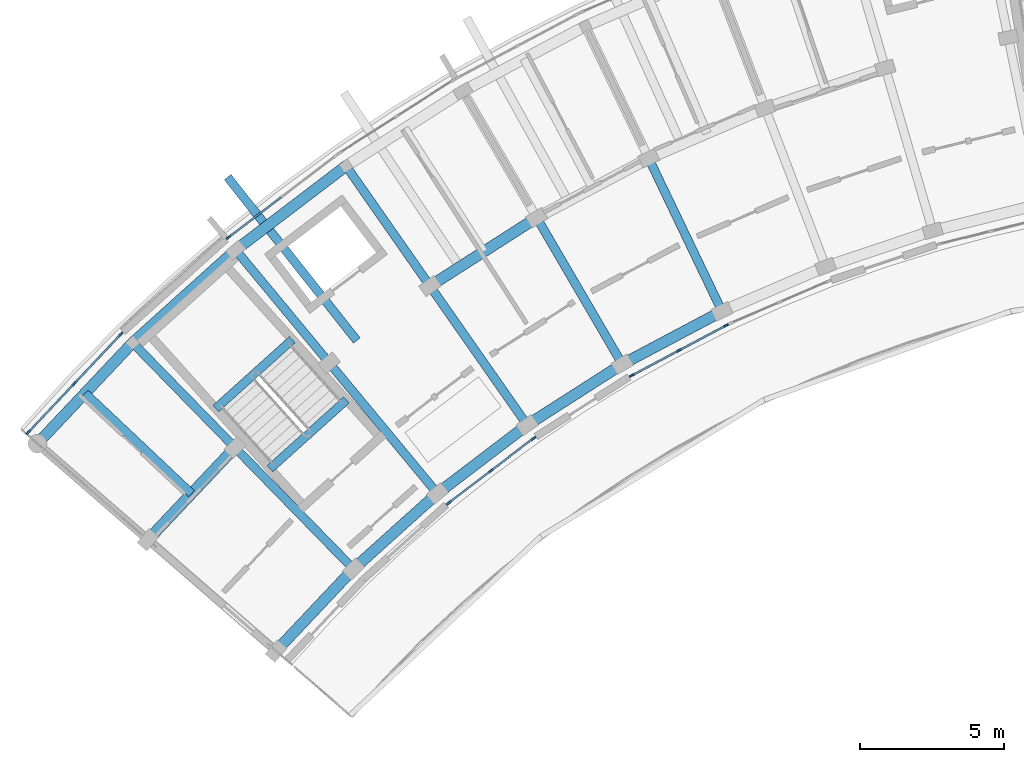
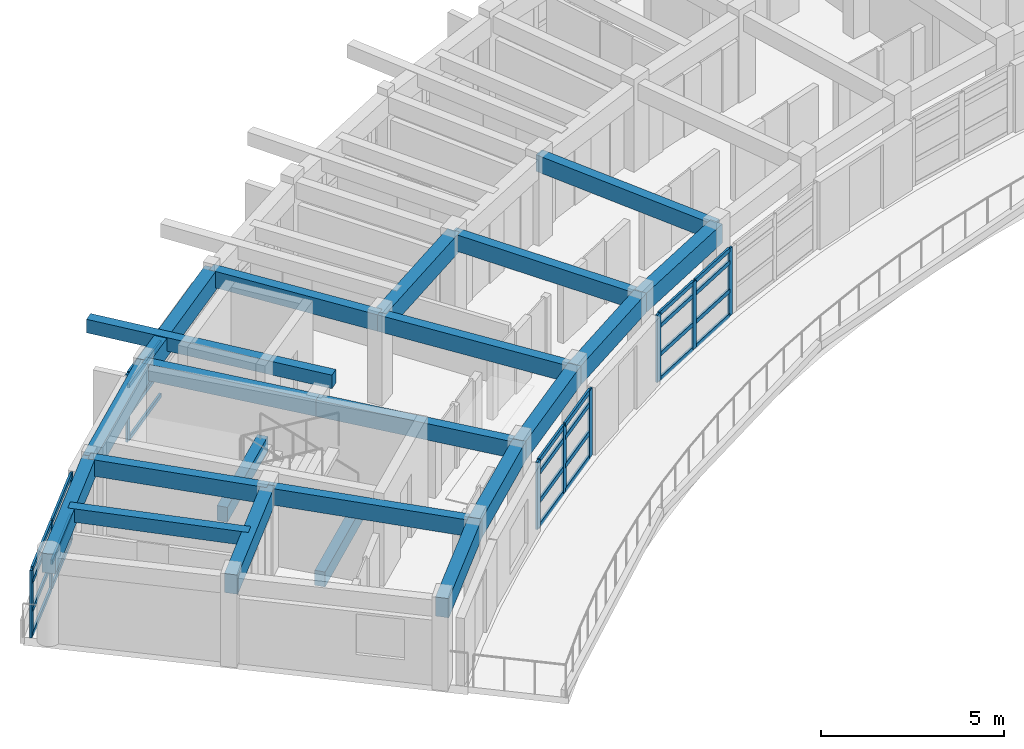
# One storey, part 2 of 23: 38 members, 22 beams, 4 elements without a shape of their own.
"""IFC4 building model written with IfcOpenShell, lengths in metres."""

from ifc_helpers import new_model, si_unit, direction, frame, origin, origin_2d, place, context, subcontext, project, spatial, rectangle, extrude, material, material_profile, profile_set, type_object, element, aggregate, save


model = new_model("IFC4")

# Units and contexts
model_context = context("Model", 3, precision=1e-05, world=origin(), true_north=direction((0.0, 1.0)))
body_context = subcontext(model_context, "Body", "Model", "MODEL_VIEW")
ifc_project = project(units=[si_unit("LENGTHUNIT", "METRE"), si_unit("AREAUNIT", "SQUARE_METRE"), si_unit("VOLUMEUNIT", "CUBIC_METRE"), si_unit("PLANEANGLEUNIT", "RADIAN"), si_unit("MASSUNIT", "GRAM", prefix="KILO")], contexts=[model_context])

# Site, building, storey
site_placement = place(None, origin())
site = spatial("IfcSite", under=ifc_project, at=site_placement, CompositionType="ELEMENT")
building_placement = place(site_placement, origin())
building = spatial("IfcBuilding", under=site, at=building_placement, Name="Zimvara Arc Housing Community", CompositionType="ELEMENT")
storey_placement = place(building_placement, frame((0.0, 0.0, 36.0)))
storey = spatial("IfcBuildingStorey", under=building, at=storey_placement, Name="L11", CompositionType="ELEMENT", Elevation=36.0)

# Beams
ifc_material_1 = material(Name="Concrete C40/50", Category="concrete")
ifc_material_profile_1 = material_profile(ifc_material_1, rectangle(XDim=0.300048828125, YDim=0.449951171875, at=origin_2d()), Name="RC 300x450")
ifc_profile_set_1 = profile_set([ifc_material_profile_1], Name="Concrete C40/50")
beam_type_1 = type_object("IfcBeamType", Name="BM-RC-300x450", PredefinedType="JOIST", material=ifc_profile_set_1)
beam_1_placement = place(storey_placement, frame((5.904296875, 81.3935546875, 2.64501953125), z_axis=(-0.727299876429, 0.686319815936, 0.0), x_axis=(-0.686319815936, -0.727299876429, 0.0)))
element("IfcBeam", 1, at=beam_1_placement, inside=storey, type_object=beam_type_1, Name="bm:blkA:L11:joist:b0", PredefinedType="JOIST", context=body_context, shape_type="SweptSolid", body=[
    extrude(rectangle(XDim=0.300048828125, YDim=0.449951171875, at=origin_2d()), origin(), (0.0, 0.0, 1.0), 5.075927734375),
])
beam_2_placement = place(storey_placement, frame((11.634033203125, 86.703857421875, 2.6650390625), z_axis=(-0.620202196013, 0.784441990246, 0.0), x_axis=(-0.784441990246, -0.620202196013, 0.0)))
element("IfcBeam", 2, at=beam_2_placement, inside=storey, type_object=beam_type_1, Name="bm:blkA:L11:cant_out:b2", PredefinedType="JOIST", context=body_context, shape_type="SweptSolid", body=[
    extrude(rectangle(XDim=0.300048828125, YDim=0.449951171875, at=origin_2d()), origin(), (0.0, 0.0, 1.0), 7.219970703125),
])
ifc_material_2 = material(Name="Concrete C40/50", Category="concrete")
ifc_material_profile_2 = material_profile(ifc_material_2, rectangle(XDim=0.300048828125, YDim=0.5, at=origin_2d()), Name="RC 300x500")
ifc_profile_set_2 = profile_set([ifc_material_profile_2], Name="Concrete C40/50")
beam_type_2 = type_object("IfcBeamType", Name="BM-RC-300x500", PredefinedType="BEAM", material=ifc_profile_set_2)
for number, where, z_axis, x_axis, name in (
    (3, (11.278076171875, 84.64697265625, -0.25), (-0.743362151162, -0.668889162881, 0.0), (0.668889162881, -0.743362151162, 0.0), "bm:stair_trim:ST-A1:L11:near"),
    (4, (9.39990234375, 86.734375, 1.300048828125), (-0.743362151162, -0.668889162881, 0.0), (0.668889162881, -0.743362151162, 0.0), "bm:stair_trim:ST-A1:L11:mid"),
):
    element("IfcBeam", number, at=place(storey_placement, frame(where, z_axis=z_axis, x_axis=x_axis)), inside=storey, type_object=beam_type_2, Name=name, PredefinedType="BEAM", context=body_context, shape_type="SweptSolid", body=[
        extrude(rectangle(XDim=0.300048828125, YDim=0.5, at=origin_2d()), origin(), (0.0, 0.0, 1.0), 3.570068359375),
    ])
ifc_material_3 = material(Name="Concrete C40/50", Category="concrete")
ifc_material_profile_3 = material_profile(ifc_material_3, rectangle(XDim=0.300048828125, YDim=0.550048828125, at=origin_2d()), Name="RC 300x550")
ifc_profile_set_3 = profile_set([ifc_material_profile_3], Name="Concrete C40/50")
beam_type_3 = type_object("IfcBeamType", Name="BM-RC-300x550", PredefinedType="BEAM", material=ifc_profile_set_3)
beam_3_placement = place(storey_placement, frame((11.52001953125, 78.784423828125, 2.594970703125), z_axis=(-0.698669844288, 0.715444231707, 0.0), x_axis=(-0.715444231707, -0.698669844288, 0.0)))
element("IfcBeam", 5, at=beam_3_placement, inside=storey, type_object=beam_type_3, Name="bm:blkA:L11:rad:b1:r12", PredefinedType="BEAM", context=body_context, shape_type="SweptSolid", body=[
    extrude(rectangle(XDim=0.300048828125, YDim=0.550048828125, at=origin_2d()), origin(), (0.0, 0.0, 1.0), 5.8798828125),
])
beam_4_placement = place(storey_placement, frame((7.411865234375, 82.9912109375, 2.594970703125), z_axis=(-0.698670885014, 0.71544321538, 0.0), x_axis=(-0.71544321538, -0.698670885014, 0.0)))
element("IfcBeam", 6, at=beam_4_placement, inside=storey, type_object=beam_type_3, Name="bm:blkA:L11:rad:b1:r23", PredefinedType="BEAM", context=body_context, shape_type="SweptSolid", body=[
    extrude(rectangle(XDim=0.300048828125, YDim=0.550048828125, at=origin_2d()), origin(), (0.0, 0.0, 1.0), 5.080078125),
])
beam_5_placement = place(storey_placement, frame((14.428955078125, 81.401611328125, 2.594970703125), z_axis=(-0.637955964415, 0.770072845559, 0.0), x_axis=(-0.770072845559, -0.637955964415, 0.0)))
element("IfcBeam", 7, at=beam_5_placement, inside=storey, type_object=beam_type_3, Name="bm:blkA:L11:rad:b2:r12", PredefinedType="BEAM", context=body_context, shape_type="SweptSolid", body=[
    extrude(rectangle(XDim=0.300048828125, YDim=0.550048828125, at=origin_2d()), origin(), (0.0, 0.0, 1.0), 5.880126953125),
])
beam_6_placement = place(storey_placement, frame((10.677734375, 85.9296875, 2.594970703125), z_axis=(-0.637983669165, 0.77004989311, 0.0), x_axis=(-0.77004989311, -0.637983669165, 0.0)))
element("IfcBeam", 8, at=beam_6_placement, inside=storey, type_object=beam_type_3, Name="bm:blkA:L11:rad:b2:r23", PredefinedType="BEAM", context=body_context, shape_type="SweptSolid", body=[
    extrude(rectangle(XDim=0.300048828125, YDim=0.550048828125, at=origin_2d()), origin(), (0.0, 0.0, 1.0), 5.080078125),
])
beam_7_placement = place(storey_placement, frame((17.541748046875, 83.77294921875, 2.594970703125), z_axis=(-0.573027549978, 0.819536104736, 0.0), x_axis=(-0.819536104736, -0.573027549978, 0.0)))
element("IfcBeam", 9, at=beam_7_placement, inside=storey, type_object=beam_type_3, Name="bm:blkA:L11:rad:b3:r12", PredefinedType="BEAM", context=body_context, shape_type="SweptSolid", body=[
    extrude(rectangle(XDim=0.300048828125, YDim=0.550048828125, at=origin_2d()), origin(), (0.0, 0.0, 1.0), 5.8798828125),
])
beam_8_placement = place(storey_placement, frame((14.17236328125, 88.591796875, 2.594970703125), z_axis=(-0.573007469479, 0.819550144848, 0.0), x_axis=(-0.819550144848, -0.573007469479, 0.0)))
element("IfcBeam", 10, at=beam_8_placement, inside=storey, type_object=beam_type_3, Name="bm:blkA:L11:rad:b3:r23", PredefinedType="BEAM", context=body_context, shape_type="SweptSolid", body=[
    extrude(rectangle(XDim=0.300048828125, YDim=0.550048828125, at=origin_2d()), origin(), (0.0, 0.0, 1.0), 5.080078125),
])
beam_9_placement = place(storey_placement, frame((20.83740234375, 85.88232421875, 2.594970703125), z_axis=(-0.504219494781, 0.863575532934, 0.0), x_axis=(-0.863575532934, -0.504219494781, 0.0)))
element("IfcBeam", 11, at=beam_9_placement, inside=storey, type_object=beam_type_3, Name="bm:blkA:L11:rad:b4:r12", PredefinedType="BEAM", context=body_context, shape_type="SweptSolid", body=[
    extrude(rectangle(XDim=0.300048828125, YDim=0.550048828125, at=origin_2d()), origin(), (0.0, 0.0, 1.0), 5.880126953125),
])
beam_10_placement = place(storey_placement, frame((24.29443359375, 87.7158203125, 2.594970703125), z_axis=(-0.432069527705, 0.901840298073, 0.0), x_axis=(-0.901840298073, -0.432069527705, 0.0)))
element("IfcBeam", 12, at=beam_10_placement, inside=storey, type_object=beam_type_3, Name="bm:blkA:L11:rad:b5:r12", PredefinedType="BEAM", context=body_context, shape_type="SweptSolid", body=[
    extrude(rectangle(XDim=0.300048828125, YDim=0.550048828125, at=origin_2d()), origin(), (0.0, 0.0, 1.0), 5.8798828125),
])
ifc_material_4 = material(Name="Concrete C40/50", Category="concrete")
ifc_material_profile_4 = material_profile(ifc_material_4, rectangle(XDim=0.3798828125, YDim=0.639892578125, at=origin_2d()), Name="RC 380x640")
ifc_profile_set_4 = profile_set([ifc_material_profile_4], Name="Concrete C40/50")
beam_type_4 = type_object("IfcBeamType", Name="BM-RC-380x640", PredefinedType="BEAM", material=ifc_profile_set_4)
beam_11_placement = place(storey_placement, frame((8.834228515625, 75.938232421875, 2.550048828125), z_axis=(0.686315710793, 0.727303750243, 0.0), x_axis=(-0.727303750243, 0.686315710793, 0.0)))
element("IfcBeam", 13, at=beam_11_placement, inside=storey, type_object=beam_type_4, Name="bm:blkA:L11:chord:r1:b0", PredefinedType="BEAM", context=body_context, shape_type="SweptSolid", body=[
    extrude(rectangle(XDim=0.3798828125, YDim=0.639892578125, at=origin_2d()), origin(), (0.0, 0.0, 1.0), 3.913330078125),
])
for number, where, z_axis, x_axis, name in (
    (14, (11.52001953125, 78.784423828125, 2.550048828125), (0.743402719516, 0.668844074965, 0.0), (-0.668844074965, 0.743402719516, 0.0), "bm:blkA:L11:chord:r1:b1"),
    (15, (14.428955078125, 81.401611328125, 2.550048828125), (0.795470387579, 0.605992460749, 0.0), (-0.605992460749, 0.795470387579, 0.0), "bm:blkA:L11:chord:r1:b2"),
):
    element("IfcBeam", number, at=place(storey_placement, frame(where, z_axis=z_axis, x_axis=x_axis)), inside=storey, type_object=beam_type_4, Name=name, PredefinedType="BEAM", context=body_context, shape_type="SweptSolid", body=[
        extrude(rectangle(XDim=0.3798828125, YDim=0.639892578125, at=origin_2d()), origin(), (0.0, 0.0, 1.0), 3.9130859375),
    ])
beam_12_placement = place(storey_placement, frame((17.541748046875, 83.77294921875, 2.550048828125), z_axis=(0.842253269878, 0.539082024724, 0.0), x_axis=(-0.539082024724, 0.842253269878, 0.0)))
element("IfcBeam", 16, at=beam_12_placement, inside=storey, type_object=beam_type_4, Name="bm:blkA:L11:chord:r1:b3", PredefinedType="BEAM", context=body_context, shape_type="SweptSolid", body=[
    extrude(rectangle(XDim=0.3798828125, YDim=0.639892578125, at=origin_2d()), origin(), (0.0, 0.0, 1.0), 3.912841796875),
])
beam_13_placement = place(storey_placement, frame((20.83740234375, 85.88232421875, 2.550048828125), z_axis=(0.883438625159, 0.468546897948, 0.0), x_axis=(-0.468546897948, 0.883438625159, 0.0)))
element("IfcBeam", 17, at=beam_13_placement, inside=storey, type_object=beam_type_4, Name="bm:blkA:L11:chord:r1:b4", PredefinedType="BEAM", context=body_context, shape_type="SweptSolid", body=[
    extrude(rectangle(XDim=0.3798828125, YDim=0.639892578125, at=origin_2d()), origin(), (0.0, 0.0, 1.0), 3.9130859375),
])
for number, where, z_axis, x_axis, name in (
    (18, (4.396728515625, 79.7958984375, 2.550048828125), (0.686303637813, 0.727315142648, 0.0), (-0.727315142648, 0.686303637813, 0.0), "bm:blkA:L11:chord:r2:b0"),
    (19, (14.17236328125, 88.591796875, 2.550048828125), (0.842242131326, 0.539099427025, 0.0), (-0.539099427025, 0.842242131326, 0.0), "bm:blkA:L11:chord:r2:b3"),
):
    element("IfcBeam", number, at=place(storey_placement, frame(where, z_axis=z_axis, x_axis=x_axis)), inside=storey, type_object=beam_type_4, Name=name, PredefinedType="BEAM", context=body_context, shape_type="SweptSolid", body=[
        extrude(rectangle(XDim=0.3798828125, YDim=0.639892578125, at=origin_2d()), origin(), (0.0, 0.0, 1.0), 4.393310546875),
    ])
beam_14_placement = place(storey_placement, frame((0.562744140625, 83.128662109375, 2.550048828125), z_axis=(0.6862954451, 0.727322873307, 0.0), x_axis=(-0.727322873307, 0.6862954451, 0.0)))
element("IfcBeam", 20, at=beam_14_placement, inside=storey, type_object=beam_type_4, Name="bm:blkA:L11:chord:r3:b0", PredefinedType="BEAM", context=body_context, shape_type="SweptSolid", body=[
    extrude(rectangle(XDim=0.3798828125, YDim=0.639892578125, at=origin_2d()), origin(), (0.0, 0.0, 1.0), 4.80810546875),
])
beam_15_placement = place(storey_placement, frame((3.862548828125, 86.625732421875, 2.550048828125), z_axis=(0.743395133402, 0.668852506637, 0.0), x_axis=(-0.668852506637, 0.743395133402, 0.0)))
element("IfcBeam", 21, at=beam_15_placement, inside=storey, type_object=beam_type_4, Name="bm:blkA:L11:chord:r3:b1", PredefinedType="BEAM", context=body_context, shape_type="SweptSolid", body=[
    extrude(rectangle(XDim=0.3798828125, YDim=0.639892578125, at=origin_2d()), origin(), (0.0, 0.0, 1.0), 4.807861328125),
])
beam_16_placement = place(storey_placement, frame((7.436767578125, 89.841552734375, 2.550048828125), z_axis=(0.795480673672, 0.605978958228, 0.0), x_axis=(-0.605978958228, 0.795480673672, 0.0)))
element("IfcBeam", 22, at=beam_16_placement, inside=storey, type_object=beam_type_4, Name="bm:blkA:L11:chord:r3:b2", PredefinedType="BEAM", context=body_context, shape_type="SweptSolid", body=[
    extrude(rectangle(XDim=0.3798828125, YDim=0.639892578125, at=origin_2d()), origin(), (0.0, 0.0, 1.0), 4.80810546875),
])

# Curtain wall, member
ifc_material_5 = material(Name="Anodised Aluminium AW-6063", Category="aluminium")
curtain_wall_type_1 = type_object("IfcCurtainWallType", Name="CW-SYS-08", PredefinedType="USERDEFINED", material=ifc_material_5)
curtain_wall_1_placement = place(storey_placement, origin())
curtain_wall_1 = element("IfcCurtainWall", 23, at=curtain_wall_1_placement, inside=storey, type_object=curtain_wall_type_1, Name="cw:blkA:L11:out:b2", ObjectType="CURTAIN WALL", PredefinedType="USERDEFINED")
ifc_material_6 = material(Name="Anodised Aluminium AW-6063", Category="aluminium")
ifc_material_profile_5 = material_profile(ifc_material_6, rectangle(XDim=0.06494140625, YDim=0.179931640625, at=origin_2d()), Name="ALU 65x180")
ifc_profile_set_5 = profile_set([ifc_material_profile_5], Name="Anodised Aluminium AW-6063")
member_type_1 = type_object("IfcMemberType", Name="CWM-65x150", PredefinedType="MULLION", material=ifc_profile_set_5)
member_1_placement = place(storey_placement, frame((7.19140625, 90.28271484375, 0.0), z_axis=(0.0, 0.0, 1.0), x_axis=(-0.60598771987, 0.795473999177, 0.0)))
member_1 = element("IfcMember", 24, at=member_1_placement, type_object=member_type_1, Name="CW08 mullion 1", PredefinedType="MULLION", context=body_context, shape_type="SweptSolid", body=[
    extrude(rectangle(XDim=0.06494140625, YDim=0.179931640625, at=origin_2d()), origin(), (0.0, 0.0, 1.0), 2.25),
])

# Curtain wall, members
ifc_material_7 = material(Name="Anodised Aluminium AW-6063", Category="aluminium")
curtain_wall_type_2 = type_object("IfcCurtainWallType", Name="CW-SYS-04", PredefinedType="USERDEFINED", material=ifc_material_7)
curtain_wall_2_placement = place(storey_placement, origin())
curtain_wall_2 = element("IfcCurtainWall", 25, at=curtain_wall_2_placement, inside=storey, type_object=curtain_wall_type_2, Name="cw:blkA:L11:in:b4", ObjectType="CURTAIN WALL", PredefinedType="USERDEFINED")
member_2_placement = place(storey_placement, frame((21.17138671875, 85.493896484375, 0.0), z_axis=(0.0, 0.0, 1.0), x_axis=(-0.468547099195, 0.883438518424, 0.0)))
member_2 = element("IfcMember", 26, at=member_2_placement, type_object=member_type_1, Name="CW04 mullion 1", PredefinedType="MULLION", context=body_context, shape_type="SweptSolid", body=[
    extrude(rectangle(XDim=0.06494140625, YDim=0.179931640625, at=origin_2d()), origin(), (0.0, 0.0, 1.0), 2.25),
])
member_3_placement = place(storey_placement, frame((22.800048828125, 86.357666015625, 0.0), z_axis=(0.0, 0.0, 1.0), x_axis=(-0.468547099195, 0.883438518424, 0.0)))
member_3 = element("IfcMember", 27, at=member_3_placement, type_object=member_type_1, Name="CW04 mullion 2", PredefinedType="MULLION", context=body_context, shape_type="SweptSolid", body=[
    extrude(rectangle(XDim=0.06494140625, YDim=0.179931640625, at=origin_2d()), origin(), (0.0, 0.0, 1.0), 2.25),
])
member_4_placement = place(storey_placement, frame((24.4287109375, 87.2216796875, 0.0), z_axis=(0.0, 0.0, 1.0), x_axis=(-0.468547099195, 0.883438518424, 0.0)))
member_4 = element("IfcMember", 28, at=member_4_placement, type_object=member_type_1, Name="CW04 mullion 3", PredefinedType="MULLION", context=body_context, shape_type="SweptSolid", body=[
    extrude(rectangle(XDim=0.06494140625, YDim=0.179931640625, at=origin_2d()), origin(), (0.0, 0.0, 1.0), 2.25),
])

ifc_material_8 = material(Name="Anodised Aluminium AW-6063", Category="aluminium")
curtain_wall_type_3 = type_object("IfcCurtainWallType", Name="CW-SYS-07", PredefinedType="USERDEFINED", material=ifc_material_8)
curtain_wall_3_placement = place(storey_placement, origin())
curtain_wall_3 = element("IfcCurtainWall", 29, at=curtain_wall_3_placement, inside=storey, type_object=curtain_wall_type_3, Name="cw:blkA:L11:out:b0", ObjectType="CURTAIN WALL", PredefinedType="USERDEFINED")
ifc_material_9 = material(Name="Anodised Aluminium AW-6063", Category="aluminium")
ifc_material_profile_6 = material_profile(ifc_material_9, rectangle(XDim=0.06494140625, YDim=0.195068359375, at=origin_2d()), Name="ALU 65x195")
ifc_profile_set_6 = profile_set([ifc_material_profile_6], Name="Anodised Aluminium AW-6063")
member_type_2 = type_object("IfcMemberType", Name="CWM-65x180", PredefinedType="MULLION", material=ifc_profile_set_6)
member_5_placement = place(storey_placement, frame((0.248779296875, 83.524169921875, 0.0), z_axis=(0.0, 0.0, 1.0), x_axis=(-0.727293647725, 0.686326416495, 0.0)))
member_5 = element("IfcMember", 30, at=member_5_placement, type_object=member_type_2, Name="CW07 mullion 1", PredefinedType="MULLION", context=body_context, shape_type="SweptSolid", body=[
    extrude(rectangle(XDim=0.06494140625, YDim=0.195068359375, at=origin_2d()), origin(), (0.0, 0.0, 1.0), 2.25),
])
member_6_placement = place(storey_placement, frame((1.849365234375, 85.219970703125, 0.0), z_axis=(0.0, 0.0, 1.0), x_axis=(-0.727293647725, 0.686326416495, 0.0)))
member_6 = element("IfcMember", 31, at=member_6_placement, type_object=member_type_2, Name="CW07 mullion 2", PredefinedType="MULLION", context=body_context, shape_type="SweptSolid", body=[
    extrude(rectangle(XDim=0.06494140625, YDim=0.195068359375, at=origin_2d()), origin(), (0.0, 0.0, 1.0), 2.25),
])
member_7_placement = place(storey_placement, frame((3.44970703125, 86.916015625, 0.0), z_axis=(0.0, 0.0, 1.0), x_axis=(-0.727293647725, 0.686326416495, 0.0)))
member_7 = element("IfcMember", 32, at=member_7_placement, type_object=member_type_2, Name="CW07 mullion 3", PredefinedType="MULLION", context=body_context, shape_type="SweptSolid", body=[
    extrude(rectangle(XDim=0.06494140625, YDim=0.195068359375, at=origin_2d()), origin(), (0.0, 0.0, 1.0), 2.25),
])

ifc_material_10 = material(Name="Anodised Aluminium AW-6063", Category="aluminium")
curtain_wall_type_4 = type_object("IfcCurtainWallType", Name="CW-SYS-01", PredefinedType="USERDEFINED", material=ifc_material_10)
curtain_wall_4_placement = place(storey_placement, origin())
curtain_wall_4 = element("IfcCurtainWall", 33, at=curtain_wall_4_placement, inside=storey, type_object=curtain_wall_type_4, Name="cw:blkA:L11:in:b2", ObjectType="CURTAIN WALL", PredefinedType="USERDEFINED")
member_8_placement = place(storey_placement, frame((14.821533203125, 81.07275390625, 0.0), z_axis=(0.0, 0.0, 1.0), x_axis=(-0.605987809503, 0.795473930895, 0.0)))
member_8 = element("IfcMember", 34, at=member_8_placement, type_object=member_type_2, Name="CW01 mullion 1", PredefinedType="MULLION", context=body_context, shape_type="SweptSolid", body=[
    extrude(rectangle(XDim=0.06494140625, YDim=0.195068359375, at=origin_2d()), origin(), (0.0, 0.0, 1.0), 2.25),
])
member_9_placement = place(storey_placement, frame((16.2880859375, 82.18994140625, 0.0), z_axis=(0.0, 0.0, 1.0), x_axis=(-0.605987809503, 0.795473930895, 0.0)))
member_9 = element("IfcMember", 35, at=member_9_placement, type_object=member_type_2, Name="CW01 mullion 2", PredefinedType="MULLION", context=body_context, shape_type="SweptSolid", body=[
    extrude(rectangle(XDim=0.06494140625, YDim=0.195068359375, at=origin_2d()), origin(), (0.0, 0.0, 1.0), 2.25),
])
member_10_placement = place(storey_placement, frame((17.754638671875, 83.30712890625, 0.0), z_axis=(0.0, 0.0, 1.0), x_axis=(-0.605987809503, 0.795473930895, 0.0)))
member_10 = element("IfcMember", 36, at=member_10_placement, type_object=member_type_2, Name="CW01 mullion 3", PredefinedType="MULLION", context=body_context, shape_type="SweptSolid", body=[
    extrude(rectangle(XDim=0.06494140625, YDim=0.195068359375, at=origin_2d()), origin(), (0.0, 0.0, 1.0), 2.25),
])

# Member
ifc_material_11 = material(Name="Anodised Aluminium AW-6063", Category="aluminium")
ifc_material_profile_7 = material_profile(ifc_material_11, rectangle(XDim=0.06494140625, YDim=0.139892578125, at=origin_2d()), Name="ALU 65x140")
ifc_profile_set_7 = profile_set([ifc_material_profile_7], Name="Anodised Aluminium AW-6063")
member_type_3 = type_object("IfcMemberType", Name="CWT-65x120", PredefinedType="USERDEFINED", material=ifc_profile_set_7)
member_11_placement = place(storey_placement, frame((7.21728515625, 90.302490234375, 0.032470703125), z_axis=(0.795505886513, 0.605945859399, 0.0), x_axis=(-0.605945859399, 0.795505886513, 0.0)))
member_11 = element("IfcMember", 37, at=member_11_placement, type_object=member_type_3, Name="CW08 transom 1.1", ObjectType="TRANSOM", PredefinedType="USERDEFINED", context=body_context, shape_type="SweptSolid", body=[
    extrude(rectangle(XDim=0.06494140625, YDim=0.139892578125, at=origin_2d()), origin(), (0.0, 0.0, 1.0), 2.266845703125),
])

member_12_placement = place(storey_placement, frame((7.21728515625, 90.302490234375, 0.85009765625), z_axis=(0.795505886513, 0.605945859399, 0.0), x_axis=(-0.605945859399, 0.795505886513, 0.0)))
member_12 = element("IfcMember", 38, at=member_12_placement, type_object=member_type_3, Name="CW08 transom 1.2", ObjectType="TRANSOM", PredefinedType="USERDEFINED", context=body_context, shape_type="SweptSolid", body=[
    extrude(rectangle(XDim=0.06494140625, YDim=0.139892578125, at=origin_2d()), origin(), (0.0, 0.0, 1.0), 2.266845703125),
])

member_13_placement = place(storey_placement, frame((7.21728515625, 90.302490234375, 1.800048828125), z_axis=(0.795505886513, 0.605945859399, 0.0), x_axis=(-0.605945859399, 0.795505886513, 0.0)))
member_13 = element("IfcMember", 39, at=member_13_placement, type_object=member_type_3, Name="CW08 transom 1.3", ObjectType="TRANSOM", PredefinedType="USERDEFINED", context=body_context, shape_type="SweptSolid", body=[
    extrude(rectangle(XDim=0.06494140625, YDim=0.139892578125, at=origin_2d()), origin(), (0.0, 0.0, 1.0), 2.266845703125),
])

member_14_placement = place(storey_placement, frame((7.21728515625, 90.302490234375, 2.217529296875), z_axis=(0.795505886513, 0.605945859399, 0.0), x_axis=(-0.605945859399, 0.795505886513, 0.0)))
member_14 = element("IfcMember", 40, at=member_14_placement, type_object=member_type_3, Name="CW08 transom 1.4", ObjectType="TRANSOM", PredefinedType="USERDEFINED", context=body_context, shape_type="SweptSolid", body=[
    extrude(rectangle(XDim=0.06494140625, YDim=0.139892578125, at=origin_2d()), origin(), (0.0, 0.0, 1.0), 2.266845703125),
])

aggregate(curtain_wall_1, [member_1, member_11, member_12, member_13, member_14])

member_15_placement = place(storey_placement, frame((21.199951171875, 85.509033203125, 0.032470703125), z_axis=(0.883407004942, 0.468606512566, 0.0), x_axis=(-0.468606512566, 0.883407004942, 0.0)))
member_15 = element("IfcMember", 41, at=member_15_placement, type_object=member_type_3, Name="CW04 transom 1.1", ObjectType="TRANSOM", PredefinedType="USERDEFINED", context=body_context, shape_type="SweptSolid", body=[
    extrude(rectangle(XDim=0.06494140625, YDim=0.139892578125, at=origin_2d()), origin(), (0.0, 0.0, 1.0), 1.778564453125),
])

member_16_placement = place(storey_placement, frame((21.199951171875, 85.509033203125, 0.85009765625), z_axis=(0.883407004942, 0.468606512566, 0.0), x_axis=(-0.468606512566, 0.883407004942, 0.0)))
member_16 = element("IfcMember", 42, at=member_16_placement, type_object=member_type_3, Name="CW04 transom 1.2", ObjectType="TRANSOM", PredefinedType="USERDEFINED", context=body_context, shape_type="SweptSolid", body=[
    extrude(rectangle(XDim=0.06494140625, YDim=0.139892578125, at=origin_2d()), origin(), (0.0, 0.0, 1.0), 1.778564453125),
])

member_17_placement = place(storey_placement, frame((21.199951171875, 85.509033203125, 1.800048828125), z_axis=(0.883407004942, 0.468606512566, 0.0), x_axis=(-0.468606512566, 0.883407004942, 0.0)))
member_17 = element("IfcMember", 43, at=member_17_placement, type_object=member_type_3, Name="CW04 transom 1.3", ObjectType="TRANSOM", PredefinedType="USERDEFINED", context=body_context, shape_type="SweptSolid", body=[
    extrude(rectangle(XDim=0.06494140625, YDim=0.139892578125, at=origin_2d()), origin(), (0.0, 0.0, 1.0), 1.778564453125),
])

member_18_placement = place(storey_placement, frame((21.199951171875, 85.509033203125, 2.217529296875), z_axis=(0.883407004942, 0.468606512566, 0.0), x_axis=(-0.468606512566, 0.883407004942, 0.0)))
member_18 = element("IfcMember", 44, at=member_18_placement, type_object=member_type_3, Name="CW04 transom 1.4", ObjectType="TRANSOM", PredefinedType="USERDEFINED", context=body_context, shape_type="SweptSolid", body=[
    extrude(rectangle(XDim=0.06494140625, YDim=0.139892578125, at=origin_2d()), origin(), (0.0, 0.0, 1.0), 1.778564453125),
])

member_19_placement = place(storey_placement, frame((22.828857421875, 86.373046875, 0.032470703125), z_axis=(0.883463823767, 0.468499383238, 0.0), x_axis=(-0.468499383238, 0.883463823767, 0.0)))
member_19 = element("IfcMember", 45, at=member_19_placement, type_object=member_type_3, Name="CW04 transom 2.1", ObjectType="TRANSOM", PredefinedType="USERDEFINED", context=body_context, shape_type="SweptSolid", body=[
    extrude(rectangle(XDim=0.06494140625, YDim=0.139892578125, at=origin_2d()), origin(), (0.0, 0.0, 1.0), 1.778564453125),
])

member_20_placement = place(storey_placement, frame((22.828857421875, 86.373046875, 0.85009765625), z_axis=(0.883463823767, 0.468499383238, 0.0), x_axis=(-0.468499383238, 0.883463823767, 0.0)))
member_20 = element("IfcMember", 46, at=member_20_placement, type_object=member_type_3, Name="CW04 transom 2.2", ObjectType="TRANSOM", PredefinedType="USERDEFINED", context=body_context, shape_type="SweptSolid", body=[
    extrude(rectangle(XDim=0.06494140625, YDim=0.139892578125, at=origin_2d()), origin(), (0.0, 0.0, 1.0), 1.778564453125),
])

member_21_placement = place(storey_placement, frame((22.828857421875, 86.373046875, 1.800048828125), z_axis=(0.883463823767, 0.468499383238, 0.0), x_axis=(-0.468499383238, 0.883463823767, 0.0)))
member_21 = element("IfcMember", 47, at=member_21_placement, type_object=member_type_3, Name="CW04 transom 2.3", ObjectType="TRANSOM", PredefinedType="USERDEFINED", context=body_context, shape_type="SweptSolid", body=[
    extrude(rectangle(XDim=0.06494140625, YDim=0.139892578125, at=origin_2d()), origin(), (0.0, 0.0, 1.0), 1.778564453125),
])

member_22_placement = place(storey_placement, frame((22.828857421875, 86.373046875, 2.217529296875), z_axis=(0.883463823767, 0.468499383238, 0.0), x_axis=(-0.468499383238, 0.883463823767, 0.0)))
member_22 = element("IfcMember", 48, at=member_22_placement, type_object=member_type_3, Name="CW04 transom 2.4", ObjectType="TRANSOM", PredefinedType="USERDEFINED", context=body_context, shape_type="SweptSolid", body=[
    extrude(rectangle(XDim=0.06494140625, YDim=0.139892578125, at=origin_2d()), origin(), (0.0, 0.0, 1.0), 1.778564453125),
])

aggregate(curtain_wall_2, [member_2, member_3, member_4, member_15, member_16, member_17, member_18, member_19, member_20, member_21, member_22])

ifc_material_12 = material(Name="Anodised Aluminium AW-6063", Category="aluminium")
ifc_material_profile_8 = material_profile(ifc_material_12, rectangle(XDim=0.06494140625, YDim=0.155029296875, at=origin_2d()), Name="ALU 65x155")
ifc_profile_set_8 = profile_set([ifc_material_profile_8], Name="Anodised Aluminium AW-6063")
member_type_4 = type_object("IfcMemberType", Name="CWT-65x140", PredefinedType="USERDEFINED", material=ifc_profile_set_8)
member_23_placement = place(storey_placement, frame((0.271240234375, 83.547607421875, 0.032470703125), z_axis=(0.68623762882, 0.727377423894, 0.0), x_axis=(-0.727377423894, 0.68623762882, 0.0)))
member_23 = element("IfcMember", 49, at=member_23_placement, type_object=member_type_4, Name="CW07 transom 1.1", ObjectType="TRANSOM", PredefinedType="USERDEFINED", context=body_context, shape_type="SweptSolid", body=[
    extrude(rectangle(XDim=0.06494140625, YDim=0.155029296875, at=origin_2d()), origin(), (0.0, 0.0, 1.0), 2.266845703125),
])

member_24_placement = place(storey_placement, frame((0.271240234375, 83.547607421875, 0.85009765625), z_axis=(0.68623762882, 0.727377423894, 0.0), x_axis=(-0.727377423894, 0.68623762882, 0.0)))
member_24 = element("IfcMember", 50, at=member_24_placement, type_object=member_type_4, Name="CW07 transom 1.2", ObjectType="TRANSOM", PredefinedType="USERDEFINED", context=body_context, shape_type="SweptSolid", body=[
    extrude(rectangle(XDim=0.06494140625, YDim=0.155029296875, at=origin_2d()), origin(), (0.0, 0.0, 1.0), 2.266845703125),
])

member_25_placement = place(storey_placement, frame((0.271240234375, 83.547607421875, 1.800048828125), z_axis=(0.68623762882, 0.727377423894, 0.0), x_axis=(-0.727377423894, 0.68623762882, 0.0)))
member_25 = element("IfcMember", 51, at=member_25_placement, type_object=member_type_4, Name="CW07 transom 1.3", ObjectType="TRANSOM", PredefinedType="USERDEFINED", context=body_context, shape_type="SweptSolid", body=[
    extrude(rectangle(XDim=0.06494140625, YDim=0.155029296875, at=origin_2d()), origin(), (0.0, 0.0, 1.0), 2.266845703125),
])

member_26_placement = place(storey_placement, frame((0.271240234375, 83.547607421875, 2.217529296875), z_axis=(0.68623762882, 0.727377423894, 0.0), x_axis=(-0.727377423894, 0.68623762882, 0.0)))
member_26 = element("IfcMember", 52, at=member_26_placement, type_object=member_type_4, Name="CW07 transom 1.4", ObjectType="TRANSOM", PredefinedType="USERDEFINED", context=body_context, shape_type="SweptSolid", body=[
    extrude(rectangle(XDim=0.06494140625, YDim=0.155029296875, at=origin_2d()), origin(), (0.0, 0.0, 1.0), 2.266845703125),
])

member_27_placement = place(storey_placement, frame((1.87158203125, 85.24365234375, 0.032470703125), z_axis=(0.686348357589, 0.727272941911, 0.0), x_axis=(-0.727272941911, 0.686348357589, 0.0)))
member_27 = element("IfcMember", 53, at=member_27_placement, type_object=member_type_4, Name="CW07 transom 2.1", ObjectType="TRANSOM", PredefinedType="USERDEFINED", context=body_context, shape_type="SweptSolid", body=[
    extrude(rectangle(XDim=0.06494140625, YDim=0.155029296875, at=origin_2d()), origin(), (0.0, 0.0, 1.0), 2.266845703125),
])

member_28_placement = place(storey_placement, frame((1.87158203125, 85.24365234375, 0.85009765625), z_axis=(0.686348357589, 0.727272941911, 0.0), x_axis=(-0.727272941911, 0.686348357589, 0.0)))
member_28 = element("IfcMember", 54, at=member_28_placement, type_object=member_type_4, Name="CW07 transom 2.2", ObjectType="TRANSOM", PredefinedType="USERDEFINED", context=body_context, shape_type="SweptSolid", body=[
    extrude(rectangle(XDim=0.06494140625, YDim=0.155029296875, at=origin_2d()), origin(), (0.0, 0.0, 1.0), 2.266845703125),
])

member_29_placement = place(storey_placement, frame((1.87158203125, 85.24365234375, 1.800048828125), z_axis=(0.686348357589, 0.727272941911, 0.0), x_axis=(-0.727272941911, 0.686348357589, 0.0)))
member_29 = element("IfcMember", 55, at=member_29_placement, type_object=member_type_4, Name="CW07 transom 2.3", ObjectType="TRANSOM", PredefinedType="USERDEFINED", context=body_context, shape_type="SweptSolid", body=[
    extrude(rectangle(XDim=0.06494140625, YDim=0.155029296875, at=origin_2d()), origin(), (0.0, 0.0, 1.0), 2.266845703125),
])

member_30_placement = place(storey_placement, frame((1.87158203125, 85.24365234375, 2.217529296875), z_axis=(0.686348357589, 0.727272941911, 0.0), x_axis=(-0.727272941911, 0.686348357589, 0.0)))
member_30 = element("IfcMember", 56, at=member_30_placement, type_object=member_type_4, Name="CW07 transom 2.4", ObjectType="TRANSOM", PredefinedType="USERDEFINED", context=body_context, shape_type="SweptSolid", body=[
    extrude(rectangle(XDim=0.06494140625, YDim=0.155029296875, at=origin_2d()), origin(), (0.0, 0.0, 1.0), 2.266845703125),
])

aggregate(curtain_wall_3, [member_5, member_6, member_7, member_23, member_24, member_25, member_26, member_27, member_28, member_29, member_30])

member_31_placement = place(storey_placement, frame((14.84716796875, 81.09228515625, 0.032470703125), z_axis=(0.795497878591, 0.605956372322, 0.0), x_axis=(-0.605956372322, 0.795497878591, 0.0)))
member_31 = element("IfcMember", 57, at=member_31_placement, type_object=member_type_4, Name="CW01 transom 1.1", ObjectType="TRANSOM", PredefinedType="USERDEFINED", context=body_context, shape_type="SweptSolid", body=[
    extrude(rectangle(XDim=0.06494140625, YDim=0.155029296875, at=origin_2d()), origin(), (0.0, 0.0, 1.0), 1.77880859375),
])

member_32_placement = place(storey_placement, frame((14.84716796875, 81.09228515625, 0.85009765625), z_axis=(0.795497878591, 0.605956372322, 0.0), x_axis=(-0.605956372322, 0.795497878591, 0.0)))
member_32 = element("IfcMember", 58, at=member_32_placement, type_object=member_type_4, Name="CW01 transom 1.2", ObjectType="TRANSOM", PredefinedType="USERDEFINED", context=body_context, shape_type="SweptSolid", body=[
    extrude(rectangle(XDim=0.06494140625, YDim=0.155029296875, at=origin_2d()), origin(), (0.0, 0.0, 1.0), 1.77880859375),
])

member_33_placement = place(storey_placement, frame((14.84716796875, 81.09228515625, 1.800048828125), z_axis=(0.795497878591, 0.605956372322, 0.0), x_axis=(-0.605956372322, 0.795497878591, 0.0)))
member_33 = element("IfcMember", 59, at=member_33_placement, type_object=member_type_4, Name="CW01 transom 1.3", ObjectType="TRANSOM", PredefinedType="USERDEFINED", context=body_context, shape_type="SweptSolid", body=[
    extrude(rectangle(XDim=0.06494140625, YDim=0.155029296875, at=origin_2d()), origin(), (0.0, 0.0, 1.0), 1.77880859375),
])

member_34_placement = place(storey_placement, frame((14.84716796875, 81.09228515625, 2.217529296875), z_axis=(0.795497878591, 0.605956372322, 0.0), x_axis=(-0.605956372322, 0.795497878591, 0.0)))
member_34 = element("IfcMember", 60, at=member_34_placement, type_object=member_type_4, Name="CW01 transom 1.4", ObjectType="TRANSOM", PredefinedType="USERDEFINED", context=body_context, shape_type="SweptSolid", body=[
    extrude(rectangle(XDim=0.06494140625, YDim=0.155029296875, at=origin_2d()), origin(), (0.0, 0.0, 1.0), 1.77880859375),
])

member_35_placement = place(storey_placement, frame((16.31396484375, 82.20947265625, 0.032470703125), z_axis=(0.79544747465, 0.60602253677, 0.0), x_axis=(-0.60602253677, 0.79544747465, 0.0)))
member_35 = element("IfcMember", 61, at=member_35_placement, type_object=member_type_4, Name="CW01 transom 2.1", ObjectType="TRANSOM", PredefinedType="USERDEFINED", context=body_context, shape_type="SweptSolid", body=[
    extrude(rectangle(XDim=0.06494140625, YDim=0.155029296875, at=origin_2d()), origin(), (0.0, 0.0, 1.0), 1.778564453125),
])

member_36_placement = place(storey_placement, frame((16.31396484375, 82.20947265625, 0.85009765625), z_axis=(0.79544747465, 0.60602253677, 0.0), x_axis=(-0.60602253677, 0.79544747465, 0.0)))
member_36 = element("IfcMember", 62, at=member_36_placement, type_object=member_type_4, Name="CW01 transom 2.2", ObjectType="TRANSOM", PredefinedType="USERDEFINED", context=body_context, shape_type="SweptSolid", body=[
    extrude(rectangle(XDim=0.06494140625, YDim=0.155029296875, at=origin_2d()), origin(), (0.0, 0.0, 1.0), 1.778564453125),
])

member_37_placement = place(storey_placement, frame((16.31396484375, 82.20947265625, 1.800048828125), z_axis=(0.79544747465, 0.60602253677, 0.0), x_axis=(-0.60602253677, 0.79544747465, 0.0)))
member_37 = element("IfcMember", 63, at=member_37_placement, type_object=member_type_4, Name="CW01 transom 2.3", ObjectType="TRANSOM", PredefinedType="USERDEFINED", context=body_context, shape_type="SweptSolid", body=[
    extrude(rectangle(XDim=0.06494140625, YDim=0.155029296875, at=origin_2d()), origin(), (0.0, 0.0, 1.0), 1.778564453125),
])

member_38_placement = place(storey_placement, frame((16.31396484375, 82.20947265625, 2.217529296875), z_axis=(0.79544747465, 0.60602253677, 0.0), x_axis=(-0.60602253677, 0.79544747465, 0.0)))
member_38 = element("IfcMember", 64, at=member_38_placement, type_object=member_type_4, Name="CW01 transom 2.4", ObjectType="TRANSOM", PredefinedType="USERDEFINED", context=body_context, shape_type="SweptSolid", body=[
    extrude(rectangle(XDim=0.06494140625, YDim=0.155029296875, at=origin_2d()), origin(), (0.0, 0.0, 1.0), 1.778564453125),
])

aggregate(curtain_wall_4, [member_8, member_9, member_10, member_31, member_32, member_33, member_34, member_35, member_36, member_37, member_38])

save(model, "model.ifc")
